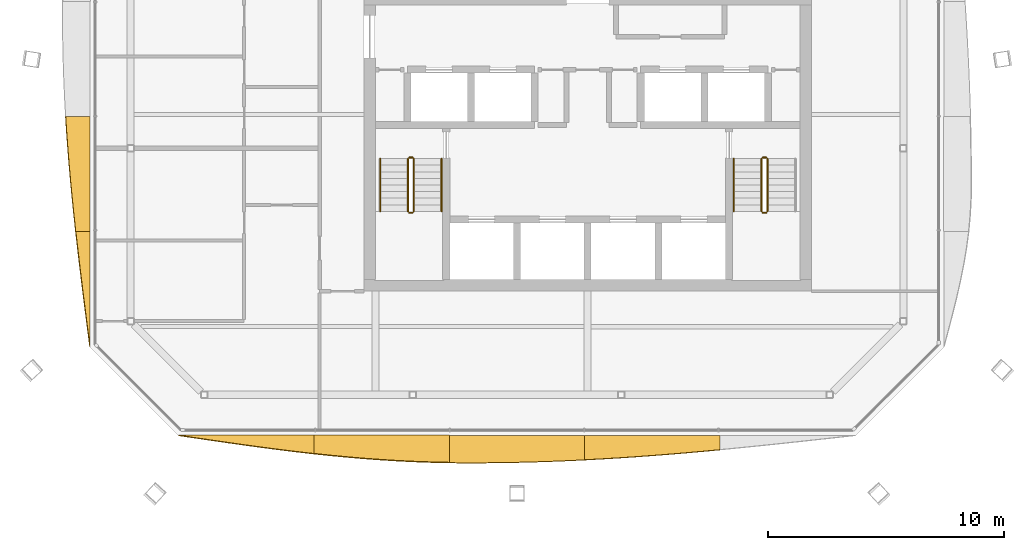
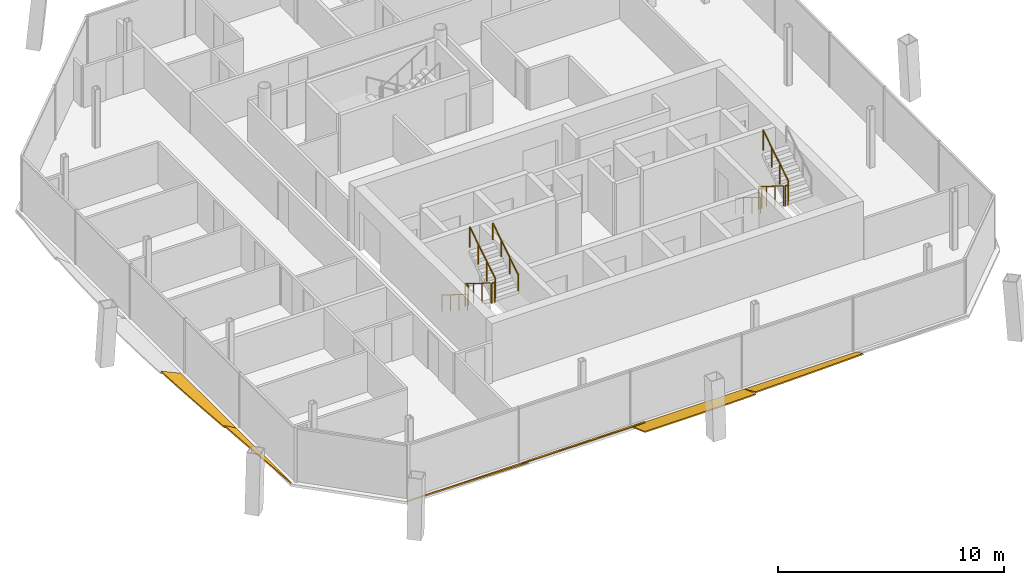
# One storey, part 13 of 15: 11 railings, 6 shading devices.
"""IFC4 building model written with IfcOpenShell, lengths in metres."""

from ifc_helpers import new_model, si_unit, direction, frame, origin, origin_2d, place, context, subcontext, project, spatial, polyline, circle, outline, extrude, material, layer, layer_set, type_object, element, save


model = new_model("IFC4")

# Units and contexts
model_context = context("Model", 3, precision=1e-05, world=origin(), true_north=direction((0.0, 1.0)))
body_context = subcontext(model_context, "Body", "Model", "MODEL_VIEW")
ifc_project = project(units=[si_unit("LENGTHUNIT", "METRE"), si_unit("AREAUNIT", "SQUARE_METRE"), si_unit("VOLUMEUNIT", "CUBIC_METRE"), si_unit("PLANEANGLEUNIT", "RADIAN"), si_unit("MASSUNIT", "GRAM", prefix="KILO")], contexts=[model_context])

# Site, building, storey
site_placement = place(None, origin())
site = spatial("IfcSite", under=ifc_project, at=site_placement, CompositionType="ELEMENT")
building_placement = place(site_placement, origin())
building = spatial("IfcBuilding", under=site, at=building_placement, Name="Tskaro Facet Tower", CompositionType="ELEMENT")
storey_placement = place(building_placement, frame((0.0, 0.0, 242.39990234375)))
storey = spatial("IfcBuildingStorey", under=building, at=storey_placement, Name="L63", CompositionType="ELEMENT", Elevation=242.39990234375)

# Shading devices
ifc_material_1 = material(Name="Bronze anodised aluminium 6063-T6", Category="aluminium")
ifc_layer = layer(ifc_material_1, 0.06005859375, Name="Bronze anodised aluminium 6063-T6")
ifc_layer_set = layer_set([ifc_layer], Name="Bronze anodised aluminium 6063-T6")
shading_device_type = type_object("IfcShadingDeviceType", Name="Bronze sun blade (FN1)", PredefinedType="USERDEFINED", material=ifc_layer_set)
shading_device_1_placement = place(storey_placement, frame((-17.35693359375, -18.1044921875, 0.04931640625), z_axis=(-1.8225423e-05, 0.573338677111, 0.819318473487), x_axis=(0.999999999834, 1.044934e-05, 1.4932426e-05)))
element("IfcShadingDevice", 1, at=shading_device_1_placement, inside=storey, type_object=shading_device_type, Name="Fin blade south 1", ObjectType="FIN", PredefinedType="USERDEFINED", context=body_context, shape_type="SweptSolid", body=[
    extrude(outline(polyline([(0.0, 0.0), (5.742675780296239, 0.0), (5.742675782179165, -0.9494369890458435), (5.024902344157525, -0.8489930795166649), (4.307128905387083, -0.7413688963352766), (3.5891113285263954, -0.6275844520633209), (2.871337888266556, -0.508579837660685), (2.153564453462837, -0.3853150120277766), (1.4355468732858447, -0.25859009086149276), (0.7177734370091232, -0.12990506617367967), (0.0, 0.0)])), origin(), (0.0, 0.0, -1.0), 0.06005859375),
])
shading_device_2_placement = place(storey_placement, frame((-11.6142578125, -18.100341796875, 0.046142578125), z_axis=(8.68706e-07, 0.642694553649, 0.766122516775), x_axis=(1.0, -5.58313e-07, -6.65535e-07)))
element("IfcShadingDevice", 2, at=shading_device_2_placement, inside=storey, type_object=shading_device_type, Name="Fin blade south 2", ObjectType="FIN", PredefinedType="USERDEFINED", context=body_context, shape_type="SweptSolid", body=[
    extrude(outline(polyline([(0.0, 0.0), (5.742919921872833, 3.040276492044511e-22), (5.742919921866702, -1.5073172590883206), (5.024902343792484, -1.4868735708630627), (4.307128906252974, -1.4537702583845276), (3.589355468733298, -1.4085383127628712), (2.8713378906084586, -1.3511777339980937), (2.1535644530499227, -1.282720370530447), (1.435791015568998, -1.2033532639900035), (0.7180175782496352, -1.113951354967003), (-2.0617227700440113e-11, -1.0149853670114815), (0.0, 0.0)])), origin(), (0.0, 0.0, -1.0), 0.06005859375),
])
shading_device_3_placement = place(storey_placement, frame((-5.871337890625, -18.118408203125, 0.056396484375), z_axis=(1.5586323e-05, 0.342059791785, 0.93967818885), x_axis=(0.999999999879, -5.331454e-06, -1.4646127e-05)))
element("IfcShadingDevice", 3, at=shading_device_3_placement, inside=storey, type_object=shading_device_type, Name="Fin blade south 3", ObjectType="FIN", PredefinedType="USERDEFINED", context=body_context, shape_type="SweptSolid", body=[
    extrude(outline(polyline([(0.0, 0.0), (5.742675780552456, -4.864235592118079e-21), (5.74267578275619, -1.100256657585282), (5.024902342606118, -1.1361747824535078), (4.307128905029272, -1.1668365493837691), (3.5891113280990563, -1.1920125447557137), (2.871337891763788, -1.2114733549489884), (2.153564451822782, -1.2253024906549574), (1.4355468748024978, -1.2333329304908927), (0.8039550776900676, -1.2354187715278058), (0.7177734370755358, -1.2354187715278058), (-6.96460737288099e-10, -1.2289318347967142), (0.0, 0.0)])), origin(), (0.0, 0.0, -1.0), 0.06005859375),
])
shading_device_4_placement = place(storey_placement, frame((-0.128662109375, -18.113525390625, 0.054443359375), z_axis=(-1.319915e-06, 0.422655881583, 0.906290243665), x_axis=(0.999999999999, 5.5787e-07, 1.196226e-06)))
element("IfcShadingDevice", 4, at=shading_device_4_placement, inside=storey, type_object=shading_device_type, Name="Fin blade south 4", ObjectType="FIN", PredefinedType="USERDEFINED", context=body_context, shape_type="SweptSolid", body=[
    extrude(outline(polyline([(0.0, 0.0), (5.742919921869998, 0.0), (5.74291992187952, -0.6688852992906704), (5.024902343799119, -0.7421734446124626), (4.307128906362016, -0.8119660556429585), (3.5893554686511653, -0.8781599449110684), (2.8715820312113607, -0.9398700633507129), (2.1535644531452047, -0.9975389354949318), (1.4357910155271985, -1.0502963996019858), (0.7180175781605883, -1.0980243808764452), (-7.87156103530775e-12, -1.1408409541137396), (0.0, 0.0)])), origin(), (0.0, 0.0, -1.0), 0.06005859375),
])
shading_device_5_placement = place(storey_placement, frame((-21.113525390625, -4.593505859375, 0.054443359375), z_axis=(0.422619992181, 3.242625e-06, 0.906306980111), x_axis=(1.370398e-06, -0.999999999995, 2.938814e-06)))
element("IfcShadingDevice", 5, at=shading_device_5_placement, inside=storey, type_object=shading_device_type, Name="Fin blade west 4", ObjectType="FIN", PredefinedType="USERDEFINED", context=body_context, shape_type="SweptSolid", body=[
    extrude(outline(polyline([(0.0, 0.0), (4.881591796849336, 0.0), (4.881591796761404, -0.6626612065721706), (4.184326172035219, -0.7456689772631188), (3.486816406631855, -0.8240897902881885), (2.7895507810838223, -0.8978204669383506), (2.092041015479403, -0.9659759418033355), (1.3947753906856821, -1.0282317698215466), (0.6972656247351772, -1.084484772283955), (-1.1840421053899695e-10, -1.1340711501328582), (0.0, 0.0)])), origin(), (0.0, 0.0, -1.0), 0.06005859375),
])
shading_device_6_placement = place(storey_placement, frame((-21.10888671875, -9.47509765625, 0.052001953125), z_axis=(0.499929218244, 7.0441e-07, 0.866066265794), x_axis=(3.52155e-07, -1.0, 6.10066e-07)))
element("IfcShadingDevice", 6, at=shading_device_6_placement, inside=storey, type_object=shading_device_type, Name="Fin blade west 5", ObjectType="FIN", PredefinedType="USERDEFINED", context=body_context, shape_type="SweptSolid", body=[
    extrude(outline(polyline([(0.0, 0.0), (4.881835937498789, 2.584422426345366e-22), (4.184570312498658, -0.10401937879977258), (3.487060546896536, -0.2074938206489027), (2.7897949219024656, -0.3095448936055277), (2.09228515620348, -0.4098391026784276), (1.395019531244539, -0.5074086269981151), (0.6975097656267008, -0.6021314135327924), (-2.0257722823826143e-12, -0.6934625253318172), (0.0, 0.0)])), origin(), (0.0, 0.0, -1.0), 0.06005859375),
])

# Railings
ifc_material_2 = material(Name="Stainless steel", Category="steel")
railing_type_1 = type_object("IfcRailingType", Name="RL-GUARD-1100", PredefinedType="GUARDRAIL", material=ifc_material_2)
railing_1_placement = place(storey_placement, frame((-7.625, -6.375, 0.175048828125)))
element("IfcRailing", 7, at=railing_1_placement, inside=storey, type_object=railing_type_1, Name="L63 ST-1 stair guard 1", PredefinedType="GUARDRAIL", context=body_context, shape_type="SweptSolid", body=[
    extrude(circle(Radius=0.02392578125, at=origin_2d()), frame((0.0, 0.0, 1.076171875), z_axis=(0.0, -0.847972341737, 0.530040477369), x_axis=(1.0, 0.0, 0.0)), (0.0, 0.0, 1.0), 2.6416015625),
    extrude(circle(Radius=0.02099609375, at=origin_2d()), origin(), (0.0, 0.0, 1.0), 1.052001953125),
    extrude(circle(Radius=0.02099609375, at=origin_2d()), frame((0.0, -0.74658203125, 0.466796875)), (0.0, 0.0, 1.0), 1.052001953125),
    extrude(circle(Radius=0.02099609375, at=origin_2d()), frame((0.0, -1.493408203125, 0.933349609375)), (0.0, 0.0, 1.0), 1.052001953125),
    extrude(circle(Radius=0.02099609375, at=origin_2d()), frame((0.0, -2.239990234375, 1.400146484375)), (0.0, 0.0, 1.0), 1.052001953125),
])
railing_2_placement = place(storey_placement, frame((-7.574951171875, -8.6650390625, 1.5751953125)))
element("IfcRailing", 8, at=railing_2_placement, inside=storey, type_object=railing_type_1, Name="L63 ST-1 stair guard 2", PredefinedType="GUARDRAIL", context=body_context, shape_type="SweptSolid", body=[
    extrude(circle(Radius=0.02392578125, at=origin_2d()), frame((0.0, 0.0, 1.076171875), z_axis=(1.0, 0.0, 0.0), x_axis=(0.0, 1.0, 0.0)), (0.0, 0.0, 1.0), 0.14990234375),
    extrude(circle(Radius=0.02099609375, at=origin_2d()), origin(), (0.0, 0.0, 1.0), 1.052001953125),
    extrude(circle(Radius=0.02099609375, at=origin_2d()), frame((0.14990234375, 0.0, 0.0)), (0.0, 0.0, 1.0), 1.052001953125),
])
railing_3_placement = place(storey_placement, frame((-7.375, -8.614990234375, 1.75)))
element("IfcRailing", 9, at=railing_3_placement, inside=storey, type_object=railing_type_1, Name="L63 ST-1 stair guard 3", PredefinedType="GUARDRAIL", context=body_context, shape_type="SweptSolid", body=[
    extrude(circle(Radius=0.02392578125, at=origin_2d()), frame((0.0, 0.0, 1.076171875), z_axis=(0.0, 0.847972341737, 0.530040477369), x_axis=(-1.0, 0.0, 0.0)), (0.0, 0.0, 1.0), 2.6416015625),
    extrude(circle(Radius=0.02099609375, at=origin_2d()), origin(), (0.0, 0.0, 1.0), 1.052001953125),
    extrude(circle(Radius=0.02099609375, at=origin_2d()), frame((0.0, 0.74658203125, 0.466796875)), (0.0, 0.0, 1.0), 1.052001953125),
    extrude(circle(Radius=0.02099609375, at=origin_2d()), frame((0.0, 1.493408203125, 0.933349609375)), (0.0, 0.0, 1.0), 1.052001953125),
    extrude(circle(Radius=0.02099609375, at=origin_2d()), frame((0.0, 2.239990234375, 1.400146484375)), (0.0, 0.0, 1.0), 1.052001953125),
])
railing_4_placement = place(storey_placement, frame((-7.574951171875, -6.324951171875, 0.0)))
element("IfcRailing", 10, at=railing_4_placement, inside=storey, type_object=railing_type_1, Name="L63 ST-1 stair guard 4", PredefinedType="GUARDRAIL", context=body_context, shape_type="SweptSolid", body=[
    extrude(circle(Radius=0.02392578125, at=origin_2d()), frame((0.0, 0.0, 1.076171875), z_axis=(1.0, 0.0, 0.0), x_axis=(0.0, 1.0, 0.0)), (0.0, 0.0, 1.0), 0.14990234375),
    extrude(circle(Radius=0.02099609375, at=origin_2d()), origin(), (0.0, 0.0, 1.0), 1.052001953125),
    extrude(circle(Radius=0.02099609375, at=origin_2d()), frame((0.14990234375, 0.0, 0.0)), (0.0, 0.0, 1.0), 1.052001953125),
])
railing_5_placement = place(storey_placement, frame((7.375, -6.375, 0.175048828125)))
element("IfcRailing", 11, at=railing_5_placement, inside=storey, type_object=railing_type_1, Name="L63 ST-2 stair guard 1", PredefinedType="GUARDRAIL", context=body_context, shape_type="SweptSolid", body=[
    extrude(circle(Radius=0.02392578125, at=origin_2d()), frame((0.0, 0.0, 1.076171875), z_axis=(0.0, -0.847972341737, 0.530040477369), x_axis=(1.0, 0.0, 0.0)), (0.0, 0.0, 1.0), 2.6416015625),
    extrude(circle(Radius=0.02099609375, at=origin_2d()), origin(), (0.0, 0.0, 1.0), 1.052001953125),
    extrude(circle(Radius=0.02099609375, at=origin_2d()), frame((0.0, -0.74658203125, 0.466796875)), (0.0, 0.0, 1.0), 1.052001953125),
    extrude(circle(Radius=0.02099609375, at=origin_2d()), frame((0.0, -1.493408203125, 0.933349609375)), (0.0, 0.0, 1.0), 1.052001953125),
    extrude(circle(Radius=0.02099609375, at=origin_2d()), frame((0.0, -2.239990234375, 1.400146484375)), (0.0, 0.0, 1.0), 1.052001953125),
])
railing_6_placement = place(storey_placement, frame((7.425048828125, -8.6650390625, 1.5751953125)))
element("IfcRailing", 12, at=railing_6_placement, inside=storey, type_object=railing_type_1, Name="L63 ST-2 stair guard 2", PredefinedType="GUARDRAIL", context=body_context, shape_type="SweptSolid", body=[
    extrude(circle(Radius=0.02392578125, at=origin_2d()), frame((0.0, 0.0, 1.076171875), z_axis=(1.0, 0.0, 0.0), x_axis=(0.0, 1.0, 0.0)), (0.0, 0.0, 1.0), 0.14990234375),
    extrude(circle(Radius=0.02099609375, at=origin_2d()), origin(), (0.0, 0.0, 1.0), 1.052001953125),
    extrude(circle(Radius=0.02099609375, at=origin_2d()), frame((0.14990234375, 0.0, 0.0)), (0.0, 0.0, 1.0), 1.052001953125),
])
railing_7_placement = place(storey_placement, frame((7.625, -8.614990234375, 1.75)))
element("IfcRailing", 13, at=railing_7_placement, inside=storey, type_object=railing_type_1, Name="L63 ST-2 stair guard 3", PredefinedType="GUARDRAIL", context=body_context, shape_type="SweptSolid", body=[
    extrude(circle(Radius=0.02392578125, at=origin_2d()), frame((0.0, 0.0, 1.076171875), z_axis=(0.0, 0.847972341737, 0.530040477369), x_axis=(-1.0, 0.0, 0.0)), (0.0, 0.0, 1.0), 2.6416015625),
    extrude(circle(Radius=0.02099609375, at=origin_2d()), origin(), (0.0, 0.0, 1.0), 1.052001953125),
    extrude(circle(Radius=0.02099609375, at=origin_2d()), frame((0.0, 0.74658203125, 0.466796875)), (0.0, 0.0, 1.0), 1.052001953125),
    extrude(circle(Radius=0.02099609375, at=origin_2d()), frame((0.0, 1.493408203125, 0.933349609375)), (0.0, 0.0, 1.0), 1.052001953125),
    extrude(circle(Radius=0.02099609375, at=origin_2d()), frame((0.0, 2.239990234375, 1.400146484375)), (0.0, 0.0, 1.0), 1.052001953125),
])
railing_8_placement = place(storey_placement, frame((7.425048828125, -6.324951171875, 0.0)))
element("IfcRailing", 14, at=railing_8_placement, inside=storey, type_object=railing_type_1, Name="L63 ST-2 stair guard 4", PredefinedType="GUARDRAIL", context=body_context, shape_type="SweptSolid", body=[
    extrude(circle(Radius=0.02392578125, at=origin_2d()), frame((0.0, 0.0, 1.076171875), z_axis=(1.0, 0.0, 0.0), x_axis=(0.0, 1.0, 0.0)), (0.0, 0.0, 1.0), 0.14990234375),
    extrude(circle(Radius=0.02099609375, at=origin_2d()), origin(), (0.0, 0.0, 1.0), 1.052001953125),
    extrude(circle(Radius=0.02099609375, at=origin_2d()), frame((0.14990234375, 0.0, 0.0)), (0.0, 0.0, 1.0), 1.052001953125),
])
railing_type_2 = type_object("IfcRailingType", Name="RL-HANDRAIL-900", PredefinedType="HANDRAIL", material=ifc_material_2)
railing_9_placement = place(storey_placement, frame((-8.800048828125, -6.375, 0.175048828125)))
element("IfcRailing", 15, at=railing_9_placement, inside=storey, type_object=railing_type_2, Name="L63 ST-1 stair handrail 1", PredefinedType="HANDRAIL", context=body_context, shape_type="SweptSolid", body=[
    extrude(circle(Radius=0.02392578125, at=origin_2d()), frame((0.0, 0.0, 0.8759765625), z_axis=(0.0, -0.847972341737, 0.530040477369), x_axis=(1.0, 0.0, 0.0)), (0.0, 0.0, 1.0), 2.6416015625),
    extrude(circle(Radius=0.02099609375, at=origin_2d()), origin(), (0.0, 0.0, 1.0), 0.851806640625),
    extrude(circle(Radius=0.02099609375, at=origin_2d()), frame((0.0, -0.74658203125, 0.466796875)), (0.0, 0.0, 1.0), 0.851806640625),
    extrude(circle(Radius=0.02099609375, at=origin_2d()), frame((0.0, -1.493408203125, 0.933349609375)), (0.0, 0.0, 1.0), 0.851806640625),
    extrude(circle(Radius=0.02099609375, at=origin_2d()), frame((0.0, -2.239990234375, 1.400146484375)), (0.0, 0.0, 1.0), 0.851806640625),
])
railing_10_placement = place(storey_placement, frame((-6.199951171875, -8.614990234375, 1.75)))
element("IfcRailing", 16, at=railing_10_placement, inside=storey, type_object=railing_type_2, Name="L63 ST-1 stair handrail 2", PredefinedType="HANDRAIL", context=body_context, shape_type="SweptSolid", body=[
    extrude(circle(Radius=0.02392578125, at=origin_2d()), frame((0.0, 0.0, 0.8759765625), z_axis=(0.0, 0.847972341737, 0.530040477369), x_axis=(-1.0, 0.0, 0.0)), (0.0, 0.0, 1.0), 2.6416015625),
    extrude(circle(Radius=0.02099609375, at=origin_2d()), origin(), (0.0, 0.0, 1.0), 0.851806640625),
    extrude(circle(Radius=0.02099609375, at=origin_2d()), frame((0.0, 0.74658203125, 0.466796875)), (0.0, 0.0, 1.0), 0.851806640625),
    extrude(circle(Radius=0.02099609375, at=origin_2d()), frame((0.0, 1.493408203125, 0.933349609375)), (0.0, 0.0, 1.0), 0.851806640625),
    extrude(circle(Radius=0.02099609375, at=origin_2d()), frame((0.0, 2.239990234375, 1.400146484375)), (0.0, 0.0, 1.0), 0.851806640625),
])
railing_11_placement = place(storey_placement, frame((6.199951171875, -6.375, 0.175048828125)))
element("IfcRailing", 17, at=railing_11_placement, inside=storey, type_object=railing_type_2, Name="L63 ST-2 stair handrail 1", PredefinedType="HANDRAIL", context=body_context, shape_type="SweptSolid", body=[
    extrude(circle(Radius=0.02392578125, at=origin_2d()), frame((0.0, 0.0, 0.8759765625), z_axis=(0.0, -0.847972341737, 0.530040477369), x_axis=(1.0, 0.0, 0.0)), (0.0, 0.0, 1.0), 2.6416015625),
    extrude(circle(Radius=0.02099609375, at=origin_2d()), origin(), (0.0, 0.0, 1.0), 0.851806640625),
    extrude(circle(Radius=0.02099609375, at=origin_2d()), frame((0.0, -0.74658203125, 0.466796875)), (0.0, 0.0, 1.0), 0.851806640625),
    extrude(circle(Radius=0.02099609375, at=origin_2d()), frame((0.0, -1.493408203125, 0.933349609375)), (0.0, 0.0, 1.0), 0.851806640625),
    extrude(circle(Radius=0.02099609375, at=origin_2d()), frame((0.0, -2.239990234375, 1.400146484375)), (0.0, 0.0, 1.0), 0.851806640625),
])

save(model, "model.ifc")
